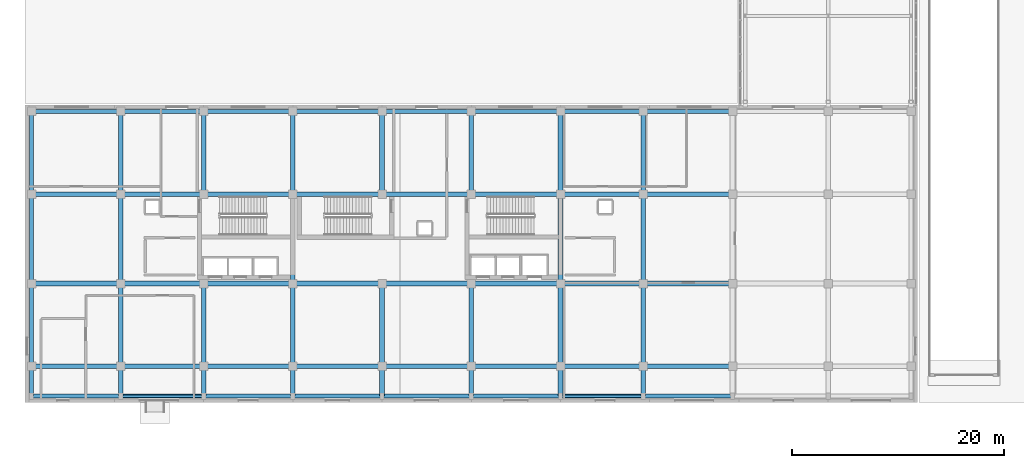
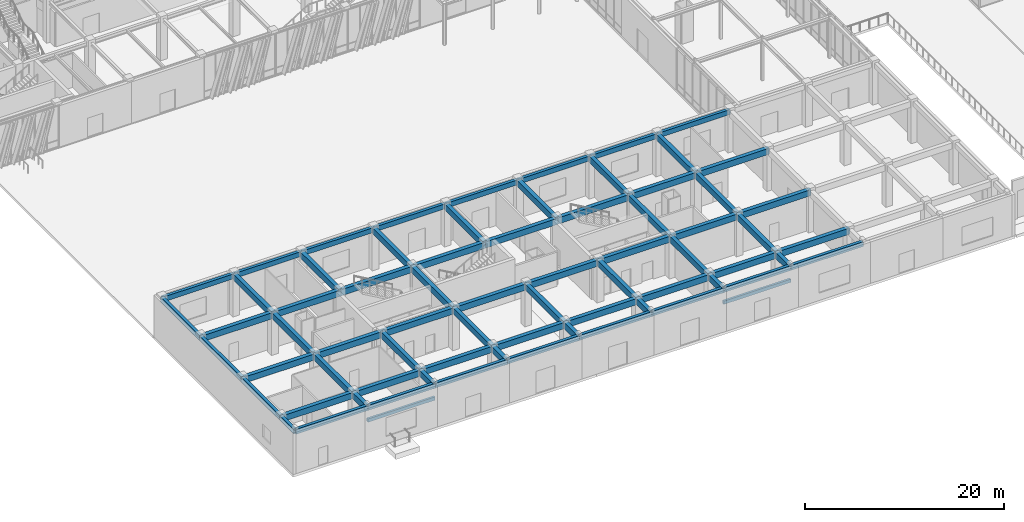
# One storey, part 8 of 122: 71 beams.
"""IFC4 building model written with IfcOpenShell, lengths in metres."""

import ifcopenshell
import ifcopenshell.guid

model = None  # the IFC model being written
_history = None  # IfcOwnerHistory: only IFC2X3 demands one
_inside = {}  # id of a spatial element -> (the spatial element, [elements in it])
_under = {}  # id of a project, library or spatial element -> (it, [spatial elements below it])
_declared = {}  # id of a project -> (the project, [libraries it declares])
_typed = {}  # id of a type object -> (the type object, [elements of that type])
_made_of = {}  # id of a material, layer set ... -> (it, [elements and type objects made of it])


def new_model(schema):
    """Start an empty IFC model of exactly this schema.

    Asked for "IFC4X3", IfcOpenShell would pick the latest addendum, in which some entities
    have other attributes; the version numbers below select the first issue.
    IFC2X3 requires an IfcOwnerHistory on every rooted entity: one is made here for all.
    """
    global model, _history
    if schema == "IFC4X3":
        model = ifcopenshell.file(schema_version=(4, 3, 0, 0))
    else:
        model = ifcopenshell.file(schema=schema)
    _inside.clear()
    _under.clear()
    _declared.clear()
    _typed.clear()
    _made_of.clear()
    _history = None
    if model.schema == "IFC2X3":
        org = make("IfcOrganization", Name="unknown")
        user = make(
            "IfcPersonAndOrganization",
            ThePerson=make("IfcPerson", FamilyName="unknown"),
            TheOrganization=org,
        )
        app = make(
            "IfcApplication",
            ApplicationDeveloper=org,
            Version="unknown",
            ApplicationFullName="unknown",
            ApplicationIdentifier="unknown",
        )
        _history = make(
            "IfcOwnerHistory",
            OwningUser=user,
            OwningApplication=app,
            ChangeAction="ADDED",
            CreationDate=0,
        )
    return model


def make(cls, **values):
    """One entity of the class cls with the attributes given. An attribute that is None is left unset."""
    return model.create_entity(
        cls, **{name: value for name, value in values.items() if value is not None}
    )


def rooted(cls, **values):
    """An entity with a GlobalId (a new one), such as an element, a storey or a relation."""
    return make(cls, GlobalId=ifcopenshell.guid.new(), OwnerHistory=_history, **values)


def si_unit(unit_type, name, prefix=None):
    """IfcSIUnit, for example si_unit("LENGTHUNIT", "METRE", prefix="MILLI")."""
    return make("IfcSIUnit", UnitType=unit_type, Prefix=prefix, Name=name)


def assignment(units):
    """IfcUnitAssignment: the units of a project."""
    return None if units is None else make("IfcUnitAssignment", Units=units)


def point(xyz):
    """IfcCartesianPoint."""
    return None if xyz is None else make("IfcCartesianPoint", Coordinates=xyz)


def direction(xyz):
    """IfcDirection."""
    return None if xyz is None else make("IfcDirection", DirectionRatios=xyz)


def frame(location, z_axis=None, x_axis=None):
    """IfcAxis2Placement3D, a coordinate frame: its origin and axes. An axis left out is left unset."""
    return make(
        "IfcAxis2Placement3D",
        Location=point(location),
        Axis=direction(z_axis),
        RefDirection=direction(x_axis),
    )


def frame_2d(location, x_axis=None):
    """IfcAxis2Placement2D, a coordinate frame in the plane: its origin and x axis."""
    return make(
        "IfcAxis2Placement2D", Location=point(location), RefDirection=direction(x_axis)
    )


def origin():
    """The frame at (0, 0, 0) with its axes left unset."""
    return frame((0.0, 0.0, 0.0))


def origin_2d():
    """The frame at (0, 0) in the plane with its x axis left unset."""
    return frame_2d((0.0, 0.0))


def place(relative_to, where):
    """IfcLocalPlacement: puts the frame where relative to a parent placement (None: the world)."""
    return make(
        "IfcLocalPlacement", PlacementRelTo=relative_to, RelativePlacement=where
    )


def context(
    kind, dimensions, precision=None, world=None, true_north=None, identifier=None
):
    """IfcGeometricRepresentationContext, for example the 3D "Model" context."""
    return make(
        "IfcGeometricRepresentationContext",
        ContextIdentifier=identifier,
        ContextType=kind,
        CoordinateSpaceDimension=dimensions,
        Precision=precision,
        WorldCoordinateSystem=world,
        TrueNorth=true_north,
    )


def subcontext(parent, identifier, kind, view, scale=None):
    """IfcGeometricRepresentationSubContext, for example "Body" below "Model"."""
    return make(
        "IfcGeometricRepresentationSubContext",
        ContextIdentifier=identifier,
        ContextType=kind,
        ParentContext=parent,
        TargetScale=scale,
        TargetView=view,
    )


def project(units=None, contexts=None):
    """IfcProject with its units and contexts."""
    return rooted(
        "IfcProject",
        Name="project",
        RepresentationContexts=contexts,
        UnitsInContext=assignment(units),
    )


def spatial(cls, under=None, at=None, **own):
    """A site, building, storey or space (cls), placed at a placement, below another one or the project."""
    s = rooted(cls, ObjectPlacement=at, **own)
    if under is not None:
        _under.setdefault(under.id(), (under, []))[1].append(s)
    return s


def profile(cls, at=None, kind="AREA", **sizes):
    """A parametric profile (cls). Its sizes go by their IFC names, for example OverallWidth=200.0."""
    return make(cls, ProfileType=kind, Position=at, **sizes)


def rectangle(**sizes):
    """IfcRectangleProfileDef."""
    return profile("IfcRectangleProfileDef", **sizes)


def extrude(swept, where, along, depth):
    """IfcExtrudedAreaSolid: the profile swept, set in the frame where, extruded along a direction by depth."""
    return make(
        "IfcExtrudedAreaSolid",
        SweptArea=swept,
        Position=where,
        ExtrudedDirection=direction(along),
        Depth=depth,
    )


def shape(context_of_items, identifier, shape_type, items):
    """IfcShapeRepresentation: the items that make up one representation, for example the "Body"."""
    return make(
        "IfcShapeRepresentation",
        ContextOfItems=context_of_items,
        RepresentationIdentifier=identifier,
        RepresentationType=shape_type,
        Items=items,
    )


def material(Name=None, Category=None):
    """IfcMaterial."""
    return make("IfcMaterial", Name=Name, Category=Category)


def material_profile(
    of_material, cross_section, Name=None, Category=None, Priority=None
):
    """IfcMaterialProfile: a cross section and its material."""
    return make(
        "IfcMaterialProfile",
        Name=Name,
        Material=of_material,
        Profile=cross_section,
        Priority=Priority,
        Category=Category,
    )


def profile_set(profiles, Name=None, composite=None):
    """IfcMaterialProfileSet."""
    return make(
        "IfcMaterialProfileSet",
        Name=Name,
        MaterialProfiles=profiles,
        CompositeProfile=composite,
    )


def made_of(thing, what):
    """Note that an element or type object is made of a material, layer set ...; save() writes the relation."""
    if what is not None:
        _made_of.setdefault(what.id(), (what, []))[1].append(thing)
    return thing


def type_object(cls, material=None, **own):
    """A type object (cls), such as IfcWallType, which elements share."""
    return made_of(rooted(cls, **own), material)


def element(
    cls,
    number,
    at=None,
    inside=None,
    cuts=None,
    type_object=None,
    material=None,
    context=None,
    identifier="Body",
    shape_type=None,
    held_by="IfcProductDefinitionShape",
    body=None,
    shapes=None,
    **own,
):
    """One element of the class cls, such as IfcWall. Its Tag is "e" and its number.

    at: its placement. inside: the storey or other place that contains it. cuts: it is an
    opening in that element (IfcRelVoidsElement). A single representation is given by context,
    identifier, shape_type and body (its items); several are given by shapes. held_by: the class
    of the entity that holds the representations. save() writes the other relations.
    """
    e = rooted(cls, Tag="e%d" % number, ObjectPlacement=at, **own)
    if body is not None:
        shapes = [shape(context, identifier, shape_type, body)]
    if shapes is not None:
        e.Representation = make(held_by, Representations=shapes)
    if inside is not None:
        _inside.setdefault(inside.id(), (inside, []))[1].append(e)
    if cuts is not None:
        rooted(
            "IfcRelVoidsElement", RelatingBuildingElement=cuts, RelatedOpeningElement=e
        )
    if type_object is not None:
        _typed.setdefault(type_object.id(), (type_object, []))[1].append(e)
    return made_of(e, material)


def aggregate(whole, parts):
    """IfcRelAggregates: a whole, such as a stair, and the parts it consists of."""
    return rooted("IfcRelAggregates", RelatingObject=whole, RelatedObjects=parts)


def save(model, path):
    """Write the relations noted so far, then the file.

    IfcRelAggregates (storeys below a building ...), IfcRelContainedInSpatialStructure (elements
    in a storey), IfcRelDefinesByType, IfcRelAssociatesMaterial and IfcRelDeclares: one each for
    every whole, place, type object, material and project.
    """
    for whole, parts in _under.values():
        aggregate(whole, parts)
    for where, things in _inside.values():
        rooted(
            "IfcRelContainedInSpatialStructure",
            RelatedElements=things,
            RelatingStructure=where,
        )
    for kind, things in _typed.values():
        rooted("IfcRelDefinesByType", RelatedObjects=things, RelatingType=kind)
    for what, things in _made_of.values():
        rooted("IfcRelAssociatesMaterial", RelatedObjects=things, RelatingMaterial=what)
    for by, libraries in _declared.values():
        rooted("IfcRelDeclares", RelatingContext=by, RelatedDefinitions=libraries)
    model.write(path)


model = new_model("IFC4")

# Units and contexts
model_context = context("Model", 3, precision=1e-05, world=origin(), true_north=direction((0.0, 1.0)))
body_context = subcontext(model_context, "Body", "Model", "MODEL_VIEW")
ifc_project = project(units=[si_unit("LENGTHUNIT", "METRE"), si_unit("AREAUNIT", "SQUARE_METRE"), si_unit("VOLUMEUNIT", "CUBIC_METRE"), si_unit("PLANEANGLEUNIT", "RADIAN"), si_unit("MASSUNIT", "GRAM", prefix="KILO")], contexts=[model_context])

# Site, building, storey
site_placement = place(None, origin())
site = spatial("IfcSite", under=ifc_project, at=site_placement, CompositionType="ELEMENT")
building_placement = place(site_placement, origin())
building = spatial("IfcBuilding", under=site, at=building_placement, Name="Zayran Congress Hotel", CompositionType="ELEMENT")
storey_placement = place(building_placement, origin())
storey = spatial("IfcBuildingStorey", under=building, at=storey_placement, Name="L00", CompositionType="ELEMENT", Elevation=0.0)

# Beams
ifc_material = material(Name="Concrete C40/50", Category="concrete")
ifc_material_profile_1 = material_profile(ifc_material, rectangle(XDim=0.449951171875, YDim=0.75, at=origin_2d()), Name="RC 450x750")
ifc_profile_set_1 = profile_set([ifc_material_profile_1], Name="Concrete C40/50")
beam_type_1 = type_object("IfcBeamType", Name="TP-BM-02", PredefinedType="BEAM", material=ifc_profile_set_1)
beam_1_placement = place(storey_placement, frame((9.0, 9.39990234375, 4.72509765625), z_axis=(1.0, 0.0, 0.0), x_axis=(0.0, 1.0, 0.0)))
element("IfcBeam", 1, at=beam_1_placement, inside=storey, type_object=beam_type_1, Name="BM-V5-L00-1594", PredefinedType="BEAM", context=body_context, shape_type="SweptSolid", body=[
    extrude(rectangle(XDim=0.449951171875, YDim=0.75, at=origin_2d()), origin(), (0.0, 0.0, 1.0), 8.39990234375),
])
beam_2_placement = place(storey_placement, frame((17.39990234375, 9.39990234375, 4.72509765625), z_axis=(1.0, 0.0, 0.0), x_axis=(0.0, 1.0, 0.0)))
element("IfcBeam", 2, at=beam_2_placement, inside=storey, type_object=beam_type_1, Name="BM-V5-L00-1595", PredefinedType="BEAM", context=body_context, shape_type="SweptSolid", body=[
    extrude(rectangle(XDim=0.449951171875, YDim=0.75, at=origin_2d()), origin(), (0.0, 0.0, 1.0), 7.800048828125),
])
beam_3_placement = place(storey_placement, frame((25.199951171875, 9.39990234375, 4.72509765625), z_axis=(1.0, 0.0, 0.0), x_axis=(0.0, 1.0, 0.0)))
element("IfcBeam", 3, at=beam_3_placement, inside=storey, type_object=beam_type_1, Name="BM-V5-L00-1596", PredefinedType="BEAM", context=body_context, shape_type="SweptSolid", body=[
    extrude(rectangle(XDim=0.449951171875, YDim=0.75, at=origin_2d()), origin(), (0.0, 0.0, 1.0), 8.400146484375),
])
for number, where, z_axis, x_axis, name in (
    (4, (33.60009765625, 9.39990234375, 4.72509765625), (1.0, 0.0, 0.0), (0.0, 1.0, 0.0), "BM-V5-L00-1597"),
    (5, (42.0, 9.39990234375, 4.72509765625), (1.0, 0.0, 0.0), (0.0, 1.0, 0.0), "BM-V5-L00-1598"),
):
    element("IfcBeam", number, at=place(storey_placement, frame(where, z_axis=z_axis, x_axis=x_axis)), inside=storey, type_object=beam_type_1, Name=name, PredefinedType="BEAM", context=body_context, shape_type="SweptSolid", body=[
        extrude(rectangle(XDim=0.449951171875, YDim=0.75, at=origin_2d()), origin(), (0.0, 0.0, 1.0), 8.39990234375),
    ])
beam_4_placement = place(storey_placement, frame((50.39990234375, 9.39990234375, 4.72509765625), z_axis=(1.0, 0.0, 0.0), x_axis=(0.0, 1.0, 0.0)))
element("IfcBeam", 6, at=beam_4_placement, inside=storey, type_object=beam_type_1, Name="BM-V5-L00-1599", PredefinedType="BEAM", context=body_context, shape_type="SweptSolid", body=[
    extrude(rectangle(XDim=0.449951171875, YDim=0.75, at=origin_2d()), origin(), (0.0, 0.0, 1.0), 8.400146484375),
])
beam_5_placement = place(storey_placement, frame((58.800048828125, 9.39990234375, 4.72509765625), z_axis=(1.0, 0.0, 0.0), x_axis=(0.0, 1.0, 0.0)))
element("IfcBeam", 7, at=beam_5_placement, inside=storey, type_object=beam_type_1, Name="BM-V5-L00-1600", PredefinedType="BEAM", context=body_context, shape_type="SweptSolid", body=[
    extrude(rectangle(XDim=0.449951171875, YDim=0.75, at=origin_2d()), origin(), (0.0, 0.0, 1.0), 7.800048828125),
])
for number, where, z_axis, x_axis, name in (
    (8, (66.60009765625, 9.39990234375, 4.72509765625), (1.0, 0.0, 0.0), (0.0, 1.0, 0.0), "BM-V5-L00-1601"),
    (9, (9.0, 17.199951171875, 4.72509765625), (1.0, 0.0, 0.0), (0.0, 1.0, 0.0), "BM-V5-L00-1604"),
):
    element("IfcBeam", number, at=place(storey_placement, frame(where, z_axis=z_axis, x_axis=x_axis)), inside=storey, type_object=beam_type_1, Name=name, PredefinedType="BEAM", context=body_context, shape_type="SweptSolid", body=[
        extrude(rectangle(XDim=0.449951171875, YDim=0.75, at=origin_2d()), origin(), (0.0, 0.0, 1.0), 8.39990234375),
    ])
beam_6_placement = place(storey_placement, frame((17.39990234375, 17.199951171875, 4.72509765625), z_axis=(1.0, 0.0, 0.0), x_axis=(0.0, 1.0, 0.0)))
element("IfcBeam", 10, at=beam_6_placement, inside=storey, type_object=beam_type_1, Name="BM-V5-L00-1605", PredefinedType="BEAM", context=body_context, shape_type="SweptSolid", body=[
    extrude(rectangle(XDim=0.449951171875, YDim=0.75, at=origin_2d()), origin(), (0.0, 0.0, 1.0), 7.800048828125),
])
beam_7_placement = place(storey_placement, frame((25.199951171875, 17.199951171875, 4.72509765625), z_axis=(1.0, 0.0, 0.0), x_axis=(0.0, 1.0, 0.0)))
element("IfcBeam", 11, at=beam_7_placement, inside=storey, type_object=beam_type_1, Name="BM-V5-L00-1606", PredefinedType="BEAM", context=body_context, shape_type="SweptSolid", body=[
    extrude(rectangle(XDim=0.449951171875, YDim=0.75, at=origin_2d()), origin(), (0.0, 0.0, 1.0), 8.400146484375),
])
for number, where, z_axis, x_axis, name in (
    (12, (33.60009765625, 17.199951171875, 4.72509765625), (1.0, 0.0, 0.0), (0.0, 1.0, 0.0), "BM-V5-L00-1607"),
    (13, (42.0, 17.199951171875, 4.72509765625), (1.0, 0.0, 0.0), (0.0, 1.0, 0.0), "BM-V5-L00-1608"),
):
    element("IfcBeam", number, at=place(storey_placement, frame(where, z_axis=z_axis, x_axis=x_axis)), inside=storey, type_object=beam_type_1, Name=name, PredefinedType="BEAM", context=body_context, shape_type="SweptSolid", body=[
        extrude(rectangle(XDim=0.449951171875, YDim=0.75, at=origin_2d()), origin(), (0.0, 0.0, 1.0), 8.39990234375),
    ])
beam_8_placement = place(storey_placement, frame((50.39990234375, 17.199951171875, 4.72509765625), z_axis=(1.0, 0.0, 0.0), x_axis=(0.0, 1.0, 0.0)))
element("IfcBeam", 14, at=beam_8_placement, inside=storey, type_object=beam_type_1, Name="BM-V5-L00-1609", PredefinedType="BEAM", context=body_context, shape_type="SweptSolid", body=[
    extrude(rectangle(XDim=0.449951171875, YDim=0.75, at=origin_2d()), origin(), (0.0, 0.0, 1.0), 8.400146484375),
])
beam_9_placement = place(storey_placement, frame((58.800048828125, 17.199951171875, 4.72509765625), z_axis=(1.0, 0.0, 0.0), x_axis=(0.0, 1.0, 0.0)))
element("IfcBeam", 15, at=beam_9_placement, inside=storey, type_object=beam_type_1, Name="BM-V5-L00-1610", PredefinedType="BEAM", context=body_context, shape_type="SweptSolid", body=[
    extrude(rectangle(XDim=0.449951171875, YDim=0.75, at=origin_2d()), origin(), (0.0, 0.0, 1.0), 7.800048828125),
])
for number, where, z_axis, x_axis, name in (
    (16, (66.60009765625, 17.199951171875, 4.72509765625), (1.0, 0.0, 0.0), (0.0, 1.0, 0.0), "BM-V5-L00-1611"),
    (17, (9.0, 25.60009765625, 4.72509765625), (1.0, 0.0, 0.0), (0.0, 1.0, 0.0), "BM-V5-L00-1614"),
):
    element("IfcBeam", number, at=place(storey_placement, frame(where, z_axis=z_axis, x_axis=x_axis)), inside=storey, type_object=beam_type_1, Name=name, PredefinedType="BEAM", context=body_context, shape_type="SweptSolid", body=[
        extrude(rectangle(XDim=0.449951171875, YDim=0.75, at=origin_2d()), origin(), (0.0, 0.0, 1.0), 8.39990234375),
    ])
beam_10_placement = place(storey_placement, frame((17.39990234375, 25.60009765625, 4.72509765625), z_axis=(1.0, 0.0, 0.0), x_axis=(0.0, 1.0, 0.0)))
element("IfcBeam", 18, at=beam_10_placement, inside=storey, type_object=beam_type_1, Name="BM-V5-L00-1615", PredefinedType="BEAM", context=body_context, shape_type="SweptSolid", body=[
    extrude(rectangle(XDim=0.449951171875, YDim=0.75, at=origin_2d()), origin(), (0.0, 0.0, 1.0), 7.800048828125),
])
beam_11_placement = place(storey_placement, frame((25.199951171875, 25.60009765625, 4.72509765625), z_axis=(1.0, 0.0, 0.0), x_axis=(0.0, 1.0, 0.0)))
element("IfcBeam", 19, at=beam_11_placement, inside=storey, type_object=beam_type_1, Name="BM-V5-L00-1616", PredefinedType="BEAM", context=body_context, shape_type="SweptSolid", body=[
    extrude(rectangle(XDim=0.449951171875, YDim=0.75, at=origin_2d()), origin(), (0.0, 0.0, 1.0), 8.400146484375),
])
for number, where, z_axis, x_axis, name in (
    (20, (33.60009765625, 25.60009765625, 4.72509765625), (1.0, 0.0, 0.0), (0.0, 1.0, 0.0), "BM-V5-L00-1617"),
    (21, (42.0, 25.60009765625, 4.72509765625), (1.0, 0.0, 0.0), (0.0, 1.0, 0.0), "BM-V5-L00-1618"),
):
    element("IfcBeam", number, at=place(storey_placement, frame(where, z_axis=z_axis, x_axis=x_axis)), inside=storey, type_object=beam_type_1, Name=name, PredefinedType="BEAM", context=body_context, shape_type="SweptSolid", body=[
        extrude(rectangle(XDim=0.449951171875, YDim=0.75, at=origin_2d()), origin(), (0.0, 0.0, 1.0), 8.39990234375),
    ])
beam_12_placement = place(storey_placement, frame((50.39990234375, 25.60009765625, 4.72509765625), z_axis=(1.0, 0.0, 0.0), x_axis=(0.0, 1.0, 0.0)))
element("IfcBeam", 22, at=beam_12_placement, inside=storey, type_object=beam_type_1, Name="BM-V5-L00-1619", PredefinedType="BEAM", context=body_context, shape_type="SweptSolid", body=[
    extrude(rectangle(XDim=0.449951171875, YDim=0.75, at=origin_2d()), origin(), (0.0, 0.0, 1.0), 8.400146484375),
])
beam_13_placement = place(storey_placement, frame((58.800048828125, 25.60009765625, 4.72509765625), z_axis=(1.0, 0.0, 0.0), x_axis=(0.0, 1.0, 0.0)))
element("IfcBeam", 23, at=beam_13_placement, inside=storey, type_object=beam_type_1, Name="BM-V5-L00-1620", PredefinedType="BEAM", context=body_context, shape_type="SweptSolid", body=[
    extrude(rectangle(XDim=0.449951171875, YDim=0.75, at=origin_2d()), origin(), (0.0, 0.0, 1.0), 7.800048828125),
])
beam_14_placement = place(storey_placement, frame((66.60009765625, 25.60009765625, 4.72509765625), z_axis=(1.0, 0.0, 0.0), x_axis=(0.0, 1.0, 0.0)))
element("IfcBeam", 24, at=beam_14_placement, inside=storey, type_object=beam_type_1, Name="BM-V5-L00-1621", PredefinedType="BEAM", context=body_context, shape_type="SweptSolid", body=[
    extrude(rectangle(XDim=0.449951171875, YDim=0.75, at=origin_2d()), origin(), (0.0, 0.0, 1.0), 8.39990234375),
])
beam_15_placement = place(storey_placement, frame((17.39990234375, 6.60009765625, 4.72509765625), z_axis=(0.0, 1.0, 0.0), x_axis=(-1.0, 0.0, 0.0)))
element("IfcBeam", 25, at=beam_15_placement, inside=storey, type_object=beam_type_1, Name="BM-V5-L00-1638", PredefinedType="BEAM", context=body_context, shape_type="SweptSolid", body=[
    extrude(rectangle(XDim=0.449951171875, YDim=0.75, at=origin_2d()), origin(), (0.0, 0.0, 1.0), 2.7998046875),
])
beam_16_placement = place(storey_placement, frame((17.39990234375, 9.39990234375, 4.72509765625), z_axis=(0.0, 1.0, 0.0), x_axis=(-1.0, 0.0, 0.0)))
element("IfcBeam", 26, at=beam_16_placement, inside=storey, type_object=beam_type_1, Name="BM-V5-L00-1639", PredefinedType="BEAM", context=body_context, shape_type="SweptSolid", body=[
    extrude(rectangle(XDim=0.449951171875, YDim=0.75, at=origin_2d()), origin(), (0.0, 0.0, 1.0), 7.800048828125),
])
beam_17_placement = place(storey_placement, frame((17.39990234375, 17.199951171875, 4.72509765625), z_axis=(0.0, 1.0, 0.0), x_axis=(-1.0, 0.0, 0.0)))
element("IfcBeam", 27, at=beam_17_placement, inside=storey, type_object=beam_type_1, Name="BM-V5-L00-1640", PredefinedType="BEAM", context=body_context, shape_type="SweptSolid", body=[
    extrude(rectangle(XDim=0.449951171875, YDim=0.75, at=origin_2d()), origin(), (0.0, 0.0, 1.0), 8.400146484375),
])
beam_18_placement = place(storey_placement, frame((17.39990234375, 25.60009765625, 4.72509765625), z_axis=(0.0, 1.0, 0.0), x_axis=(-1.0, 0.0, 0.0)))
element("IfcBeam", 28, at=beam_18_placement, inside=storey, type_object=beam_type_1, Name="BM-V5-L00-1641", PredefinedType="BEAM", context=body_context, shape_type="SweptSolid", body=[
    extrude(rectangle(XDim=0.449951171875, YDim=0.75, at=origin_2d()), origin(), (0.0, 0.0, 1.0), 7.7998046875),
])
beam_19_placement = place(storey_placement, frame((25.199951171875, 6.60009765625, 4.72509765625), z_axis=(0.0, 1.0, 0.0), x_axis=(-1.0, 0.0, 0.0)))
element("IfcBeam", 29, at=beam_19_placement, inside=storey, type_object=beam_type_1, Name="BM-V5-L00-1642", PredefinedType="BEAM", context=body_context, shape_type="SweptSolid", body=[
    extrude(rectangle(XDim=0.449951171875, YDim=0.75, at=origin_2d()), origin(), (0.0, 0.0, 1.0), 2.7998046875),
])
beam_20_placement = place(storey_placement, frame((25.199951171875, 9.39990234375, 4.72509765625), z_axis=(0.0, 1.0, 0.0), x_axis=(-1.0, 0.0, 0.0)))
element("IfcBeam", 30, at=beam_20_placement, inside=storey, type_object=beam_type_1, Name="BM-V5-L00-1643", PredefinedType="BEAM", context=body_context, shape_type="SweptSolid", body=[
    extrude(rectangle(XDim=0.449951171875, YDim=0.75, at=origin_2d()), origin(), (0.0, 0.0, 1.0), 7.800048828125),
])
beam_21_placement = place(storey_placement, frame((25.199951171875, 25.60009765625, 4.72509765625), z_axis=(0.0, 1.0, 0.0), x_axis=(-1.0, 0.0, 0.0)))
element("IfcBeam", 31, at=beam_21_placement, inside=storey, type_object=beam_type_1, Name="BM-V5-L00-1644", PredefinedType="BEAM", context=body_context, shape_type="SweptSolid", body=[
    extrude(rectangle(XDim=0.449951171875, YDim=0.75, at=origin_2d()), origin(), (0.0, 0.0, 1.0), 7.7998046875),
])
beam_22_placement = place(storey_placement, frame((33.60009765625, 6.60009765625, 4.72509765625), z_axis=(0.0, 1.0, 0.0), x_axis=(-1.0, 0.0, 0.0)))
element("IfcBeam", 32, at=beam_22_placement, inside=storey, type_object=beam_type_1, Name="BM-V5-L00-1645", PredefinedType="BEAM", context=body_context, shape_type="SweptSolid", body=[
    extrude(rectangle(XDim=0.449951171875, YDim=0.75, at=origin_2d()), origin(), (0.0, 0.0, 1.0), 2.7998046875),
])
beam_23_placement = place(storey_placement, frame((33.60009765625, 9.39990234375, 4.72509765625), z_axis=(0.0, 1.0, 0.0), x_axis=(-1.0, 0.0, 0.0)))
element("IfcBeam", 33, at=beam_23_placement, inside=storey, type_object=beam_type_1, Name="BM-V5-L00-1646", PredefinedType="BEAM", context=body_context, shape_type="SweptSolid", body=[
    extrude(rectangle(XDim=0.449951171875, YDim=0.75, at=origin_2d()), origin(), (0.0, 0.0, 1.0), 7.800048828125),
])
beam_24_placement = place(storey_placement, frame((33.60009765625, 17.199951171875, 4.72509765625), z_axis=(0.0, 1.0, 0.0), x_axis=(-1.0, 0.0, 0.0)))
element("IfcBeam", 34, at=beam_24_placement, inside=storey, type_object=beam_type_1, Name="BM-V5-L00-1647", PredefinedType="BEAM", context=body_context, shape_type="SweptSolid", body=[
    extrude(rectangle(XDim=0.449951171875, YDim=0.75, at=origin_2d()), origin(), (0.0, 0.0, 1.0), 8.400146484375),
])
beam_25_placement = place(storey_placement, frame((33.60009765625, 25.60009765625, 4.72509765625), z_axis=(0.0, 1.0, 0.0), x_axis=(-1.0, 0.0, 0.0)))
element("IfcBeam", 35, at=beam_25_placement, inside=storey, type_object=beam_type_1, Name="BM-V5-L00-1648", PredefinedType="BEAM", context=body_context, shape_type="SweptSolid", body=[
    extrude(rectangle(XDim=0.449951171875, YDim=0.75, at=origin_2d()), origin(), (0.0, 0.0, 1.0), 7.7998046875),
])
beam_26_placement = place(storey_placement, frame((42.0, 6.60009765625, 4.72509765625), z_axis=(0.0, 1.0, 0.0), x_axis=(-1.0, 0.0, 0.0)))
element("IfcBeam", 36, at=beam_26_placement, inside=storey, type_object=beam_type_1, Name="BM-V5-L00-1649", PredefinedType="BEAM", context=body_context, shape_type="SweptSolid", body=[
    extrude(rectangle(XDim=0.449951171875, YDim=0.75, at=origin_2d()), origin(), (0.0, 0.0, 1.0), 2.7998046875),
])
beam_27_placement = place(storey_placement, frame((42.0, 9.39990234375, 4.72509765625), z_axis=(0.0, 1.0, 0.0), x_axis=(-1.0, 0.0, 0.0)))
element("IfcBeam", 37, at=beam_27_placement, inside=storey, type_object=beam_type_1, Name="BM-V5-L00-1650", PredefinedType="BEAM", context=body_context, shape_type="SweptSolid", body=[
    extrude(rectangle(XDim=0.449951171875, YDim=0.75, at=origin_2d()), origin(), (0.0, 0.0, 1.0), 7.800048828125),
])
beam_28_placement = place(storey_placement, frame((42.0, 25.60009765625, 4.72509765625), z_axis=(0.0, 1.0, 0.0), x_axis=(-1.0, 0.0, 0.0)))
element("IfcBeam", 38, at=beam_28_placement, inside=storey, type_object=beam_type_1, Name="BM-V5-L00-1652", PredefinedType="BEAM", context=body_context, shape_type="SweptSolid", body=[
    extrude(rectangle(XDim=0.449951171875, YDim=0.75, at=origin_2d()), origin(), (0.0, 0.0, 1.0), 7.7998046875),
])
beam_29_placement = place(storey_placement, frame((50.39990234375, 6.60009765625, 4.72509765625), z_axis=(0.0, 1.0, 0.0), x_axis=(-1.0, 0.0, 0.0)))
element("IfcBeam", 39, at=beam_29_placement, inside=storey, type_object=beam_type_1, Name="BM-V5-L00-1653", PredefinedType="BEAM", context=body_context, shape_type="SweptSolid", body=[
    extrude(rectangle(XDim=0.449951171875, YDim=0.75, at=origin_2d()), origin(), (0.0, 0.0, 1.0), 2.7998046875),
])
beam_30_placement = place(storey_placement, frame((50.39990234375, 9.39990234375, 4.72509765625), z_axis=(0.0, 1.0, 0.0), x_axis=(-1.0, 0.0, 0.0)))
element("IfcBeam", 40, at=beam_30_placement, inside=storey, type_object=beam_type_1, Name="BM-V5-L00-1654", PredefinedType="BEAM", context=body_context, shape_type="SweptSolid", body=[
    extrude(rectangle(XDim=0.449951171875, YDim=0.75, at=origin_2d()), origin(), (0.0, 0.0, 1.0), 7.800048828125),
])
beam_31_placement = place(storey_placement, frame((50.39990234375, 25.60009765625, 4.72509765625), z_axis=(0.0, 1.0, 0.0), x_axis=(-1.0, 0.0, 0.0)))
element("IfcBeam", 41, at=beam_31_placement, inside=storey, type_object=beam_type_1, Name="BM-V5-L00-1655", PredefinedType="BEAM", context=body_context, shape_type="SweptSolid", body=[
    extrude(rectangle(XDim=0.449951171875, YDim=0.75, at=origin_2d()), origin(), (0.0, 0.0, 1.0), 7.7998046875),
])
beam_32_placement = place(storey_placement, frame((58.800048828125, 6.60009765625, 4.72509765625), z_axis=(0.0, 1.0, 0.0), x_axis=(-1.0, 0.0, 0.0)))
element("IfcBeam", 42, at=beam_32_placement, inside=storey, type_object=beam_type_1, Name="BM-V5-L00-1656", PredefinedType="BEAM", context=body_context, shape_type="SweptSolid", body=[
    extrude(rectangle(XDim=0.449951171875, YDim=0.75, at=origin_2d()), origin(), (0.0, 0.0, 1.0), 2.7998046875),
])
beam_33_placement = place(storey_placement, frame((58.800048828125, 9.39990234375, 4.72509765625), z_axis=(0.0, 1.0, 0.0), x_axis=(-1.0, 0.0, 0.0)))
element("IfcBeam", 43, at=beam_33_placement, inside=storey, type_object=beam_type_1, Name="BM-V5-L00-1657", PredefinedType="BEAM", context=body_context, shape_type="SweptSolid", body=[
    extrude(rectangle(XDim=0.449951171875, YDim=0.75, at=origin_2d()), origin(), (0.0, 0.0, 1.0), 7.800048828125),
])
beam_34_placement = place(storey_placement, frame((58.800048828125, 17.199951171875, 4.72509765625), z_axis=(0.0, 1.0, 0.0), x_axis=(-1.0, 0.0, 0.0)))
element("IfcBeam", 44, at=beam_34_placement, inside=storey, type_object=beam_type_1, Name="BM-V5-L00-1658", PredefinedType="BEAM", context=body_context, shape_type="SweptSolid", body=[
    extrude(rectangle(XDim=0.449951171875, YDim=0.75, at=origin_2d()), origin(), (0.0, 0.0, 1.0), 8.400146484375),
])
beam_35_placement = place(storey_placement, frame((58.800048828125, 25.60009765625, 4.72509765625), z_axis=(0.0, 1.0, 0.0), x_axis=(-1.0, 0.0, 0.0)))
element("IfcBeam", 45, at=beam_35_placement, inside=storey, type_object=beam_type_1, Name="BM-V5-L00-1659", PredefinedType="BEAM", context=body_context, shape_type="SweptSolid", body=[
    extrude(rectangle(XDim=0.449951171875, YDim=0.75, at=origin_2d()), origin(), (0.0, 0.0, 1.0), 7.7998046875),
])
beam_36_placement = place(storey_placement, frame((66.60009765625, 6.60009765625, 4.72509765625), z_axis=(0.0, 1.0, 0.0), x_axis=(-1.0, 0.0, 0.0)))
element("IfcBeam", 46, at=beam_36_placement, inside=storey, type_object=beam_type_1, Name="BM-V5-L00-1660", PredefinedType="BEAM", context=body_context, shape_type="SweptSolid", body=[
    extrude(rectangle(XDim=0.449951171875, YDim=0.75, at=origin_2d()), origin(), (0.0, 0.0, 1.0), 2.7998046875),
])
beam_37_placement = place(storey_placement, frame((66.60009765625, 9.39990234375, 4.72509765625), z_axis=(0.0, 1.0, 0.0), x_axis=(-1.0, 0.0, 0.0)))
element("IfcBeam", 47, at=beam_37_placement, inside=storey, type_object=beam_type_1, Name="BM-V5-L00-1661", PredefinedType="BEAM", context=body_context, shape_type="SweptSolid", body=[
    extrude(rectangle(XDim=0.449951171875, YDim=0.75, at=origin_2d()), origin(), (0.0, 0.0, 1.0), 7.800048828125),
])
beam_38_placement = place(storey_placement, frame((66.60009765625, 17.199951171875, 4.72509765625), z_axis=(0.0, 1.0, 0.0), x_axis=(-1.0, 0.0, 0.0)))
element("IfcBeam", 48, at=beam_38_placement, inside=storey, type_object=beam_type_1, Name="BM-V5-L00-1662", PredefinedType="BEAM", context=body_context, shape_type="SweptSolid", body=[
    extrude(rectangle(XDim=0.449951171875, YDim=0.75, at=origin_2d()), origin(), (0.0, 0.0, 1.0), 8.400146484375),
])
beam_39_placement = place(storey_placement, frame((66.60009765625, 25.60009765625, 4.72509765625), z_axis=(0.0, 1.0, 0.0), x_axis=(-1.0, 0.0, 0.0)))
element("IfcBeam", 49, at=beam_39_placement, inside=storey, type_object=beam_type_1, Name="BM-V5-L00-1663", PredefinedType="BEAM", context=body_context, shape_type="SweptSolid", body=[
    extrude(rectangle(XDim=0.449951171875, YDim=0.75, at=origin_2d()), origin(), (0.0, 0.0, 1.0), 7.7998046875),
])
ifc_material_profile_2 = material_profile(ifc_material, rectangle(XDim=0.35009765625, YDim=0.60009765625, at=origin_2d()), Name="RC 350x600")
ifc_profile_set_2 = profile_set([ifc_material_profile_2], Name="Concrete C40/50")
beam_type_2 = type_object("IfcBeamType", Name="TP-SP-01", PredefinedType="SPANDREL", material=ifc_profile_set_2)
beam_40_placement = place(storey_placement, frame((9.0, 6.60009765625, 4.800048828125), z_axis=(1.0, 0.0, 0.0), x_axis=(0.0, 1.0, 0.0)))
element("IfcBeam", 50, at=beam_40_placement, inside=storey, type_object=beam_type_2, Name="BM-V5-L00-1584", PredefinedType="SPANDREL", context=body_context, shape_type="SweptSolid", body=[
    extrude(rectangle(XDim=0.35009765625, YDim=0.60009765625, at=origin_2d()), origin(), (0.0, 0.0, 1.0), 8.39990234375),
])
beam_41_placement = place(storey_placement, frame((17.39990234375, 6.60009765625, 4.800048828125), z_axis=(1.0, 0.0, 0.0), x_axis=(0.0, 1.0, 0.0)))
element("IfcBeam", 51, at=beam_41_placement, inside=storey, type_object=beam_type_2, Name="BM-V5-L00-1585", PredefinedType="SPANDREL", context=body_context, shape_type="SweptSolid", body=[
    extrude(rectangle(XDim=0.35009765625, YDim=0.60009765625, at=origin_2d()), origin(), (0.0, 0.0, 1.0), 7.800048828125),
])
beam_42_placement = place(storey_placement, frame((25.199951171875, 6.60009765625, 4.800048828125), z_axis=(1.0, 0.0, 0.0), x_axis=(0.0, 1.0, 0.0)))
element("IfcBeam", 52, at=beam_42_placement, inside=storey, type_object=beam_type_2, Name="BM-V5-L00-1586", PredefinedType="SPANDREL", context=body_context, shape_type="SweptSolid", body=[
    extrude(rectangle(XDim=0.35009765625, YDim=0.60009765625, at=origin_2d()), origin(), (0.0, 0.0, 1.0), 8.400146484375),
])
for number, where, z_axis, x_axis, name in (
    (53, (33.60009765625, 6.60009765625, 4.800048828125), (1.0, 0.0, 0.0), (0.0, 1.0, 0.0), "BM-V5-L00-1587"),
    (54, (42.0, 6.60009765625, 4.800048828125), (1.0, 0.0, 0.0), (0.0, 1.0, 0.0), "BM-V5-L00-1588"),
):
    element("IfcBeam", number, at=place(storey_placement, frame(where, z_axis=z_axis, x_axis=x_axis)), inside=storey, type_object=beam_type_2, Name=name, PredefinedType="SPANDREL", context=body_context, shape_type="SweptSolid", body=[
        extrude(rectangle(XDim=0.35009765625, YDim=0.60009765625, at=origin_2d()), origin(), (0.0, 0.0, 1.0), 8.39990234375),
    ])
beam_43_placement = place(storey_placement, frame((50.39990234375, 6.60009765625, 4.800048828125), z_axis=(1.0, 0.0, 0.0), x_axis=(0.0, 1.0, 0.0)))
element("IfcBeam", 55, at=beam_43_placement, inside=storey, type_object=beam_type_2, Name="BM-V5-L00-1589", PredefinedType="SPANDREL", context=body_context, shape_type="SweptSolid", body=[
    extrude(rectangle(XDim=0.35009765625, YDim=0.60009765625, at=origin_2d()), origin(), (0.0, 0.0, 1.0), 8.400146484375),
])
beam_44_placement = place(storey_placement, frame((58.800048828125, 6.60009765625, 4.800048828125), z_axis=(1.0, 0.0, 0.0), x_axis=(0.0, 1.0, 0.0)))
element("IfcBeam", 56, at=beam_44_placement, inside=storey, type_object=beam_type_2, Name="BM-V5-L00-1590", PredefinedType="SPANDREL", context=body_context, shape_type="SweptSolid", body=[
    extrude(rectangle(XDim=0.35009765625, YDim=0.60009765625, at=origin_2d()), origin(), (0.0, 0.0, 1.0), 7.800048828125),
])
for number, where, z_axis, x_axis, name in (
    (57, (66.60009765625, 6.60009765625, 4.800048828125), (1.0, 0.0, 0.0), (0.0, 1.0, 0.0), "BM-V5-L00-1591"),
    (58, (9.0, 33.39990234375, 4.800048828125), (1.0, 0.0, 0.0), (0.0, 1.0, 0.0), "BM-V5-L00-1624"),
):
    element("IfcBeam", number, at=place(storey_placement, frame(where, z_axis=z_axis, x_axis=x_axis)), inside=storey, type_object=beam_type_2, Name=name, PredefinedType="SPANDREL", context=body_context, shape_type="SweptSolid", body=[
        extrude(rectangle(XDim=0.35009765625, YDim=0.60009765625, at=origin_2d()), origin(), (0.0, 0.0, 1.0), 8.39990234375),
    ])
beam_45_placement = place(storey_placement, frame((17.39990234375, 33.39990234375, 4.800048828125), z_axis=(1.0, 0.0, 0.0), x_axis=(0.0, 1.0, 0.0)))
element("IfcBeam", 59, at=beam_45_placement, inside=storey, type_object=beam_type_2, Name="BM-V5-L00-1625", PredefinedType="SPANDREL", context=body_context, shape_type="SweptSolid", body=[
    extrude(rectangle(XDim=0.35009765625, YDim=0.60009765625, at=origin_2d()), origin(), (0.0, 0.0, 1.0), 7.800048828125),
])
beam_46_placement = place(storey_placement, frame((25.199951171875, 33.39990234375, 4.800048828125), z_axis=(1.0, 0.0, 0.0), x_axis=(0.0, 1.0, 0.0)))
element("IfcBeam", 60, at=beam_46_placement, inside=storey, type_object=beam_type_2, Name="BM-V5-L00-1626", PredefinedType="SPANDREL", context=body_context, shape_type="SweptSolid", body=[
    extrude(rectangle(XDim=0.35009765625, YDim=0.60009765625, at=origin_2d()), origin(), (0.0, 0.0, 1.0), 8.400146484375),
])
for number, where, z_axis, x_axis, name in (
    (61, (33.60009765625, 33.39990234375, 4.800048828125), (1.0, 0.0, 0.0), (0.0, 1.0, 0.0), "BM-V5-L00-1627"),
    (62, (42.0, 33.39990234375, 4.800048828125), (1.0, 0.0, 0.0), (0.0, 1.0, 0.0), "BM-V5-L00-1628"),
):
    element("IfcBeam", number, at=place(storey_placement, frame(where, z_axis=z_axis, x_axis=x_axis)), inside=storey, type_object=beam_type_2, Name=name, PredefinedType="SPANDREL", context=body_context, shape_type="SweptSolid", body=[
        extrude(rectangle(XDim=0.35009765625, YDim=0.60009765625, at=origin_2d()), origin(), (0.0, 0.0, 1.0), 8.39990234375),
    ])
beam_47_placement = place(storey_placement, frame((50.39990234375, 33.39990234375, 4.800048828125), z_axis=(1.0, 0.0, 0.0), x_axis=(0.0, 1.0, 0.0)))
element("IfcBeam", 63, at=beam_47_placement, inside=storey, type_object=beam_type_2, Name="BM-V5-L00-1629", PredefinedType="SPANDREL", context=body_context, shape_type="SweptSolid", body=[
    extrude(rectangle(XDim=0.35009765625, YDim=0.60009765625, at=origin_2d()), origin(), (0.0, 0.0, 1.0), 8.400146484375),
])
beam_48_placement = place(storey_placement, frame((58.800048828125, 33.39990234375, 4.800048828125), z_axis=(1.0, 0.0, 0.0), x_axis=(0.0, 1.0, 0.0)))
element("IfcBeam", 64, at=beam_48_placement, inside=storey, type_object=beam_type_2, Name="BM-V5-L00-1630", PredefinedType="SPANDREL", context=body_context, shape_type="SweptSolid", body=[
    extrude(rectangle(XDim=0.35009765625, YDim=0.60009765625, at=origin_2d()), origin(), (0.0, 0.0, 1.0), 7.800048828125),
])
beam_49_placement = place(storey_placement, frame((66.60009765625, 33.39990234375, 4.800048828125), z_axis=(1.0, 0.0, 0.0), x_axis=(0.0, 1.0, 0.0)))
element("IfcBeam", 65, at=beam_49_placement, inside=storey, type_object=beam_type_2, Name="BM-V5-L00-1631", PredefinedType="SPANDREL", context=body_context, shape_type="SweptSolid", body=[
    extrude(rectangle(XDim=0.35009765625, YDim=0.60009765625, at=origin_2d()), origin(), (0.0, 0.0, 1.0), 8.39990234375),
])
beam_50_placement = place(storey_placement, frame((9.0, 6.60009765625, 4.800048828125), z_axis=(0.0, 1.0, 0.0), x_axis=(-1.0, 0.0, 0.0)))
element("IfcBeam", 66, at=beam_50_placement, inside=storey, type_object=beam_type_2, Name="BM-V5-L00-1634", PredefinedType="SPANDREL", context=body_context, shape_type="SweptSolid", body=[
    extrude(rectangle(XDim=0.35009765625, YDim=0.60009765625, at=origin_2d()), origin(), (0.0, 0.0, 1.0), 2.7998046875),
])
beam_51_placement = place(storey_placement, frame((9.0, 9.39990234375, 4.800048828125), z_axis=(0.0, 1.0, 0.0), x_axis=(-1.0, 0.0, 0.0)))
element("IfcBeam", 67, at=beam_51_placement, inside=storey, type_object=beam_type_2, Name="BM-V5-L00-1635", PredefinedType="SPANDREL", context=body_context, shape_type="SweptSolid", body=[
    extrude(rectangle(XDim=0.35009765625, YDim=0.60009765625, at=origin_2d()), origin(), (0.0, 0.0, 1.0), 7.800048828125),
])
beam_52_placement = place(storey_placement, frame((9.0, 17.199951171875, 4.800048828125), z_axis=(0.0, 1.0, 0.0), x_axis=(-1.0, 0.0, 0.0)))
element("IfcBeam", 68, at=beam_52_placement, inside=storey, type_object=beam_type_2, Name="BM-V5-L00-1636", PredefinedType="SPANDREL", context=body_context, shape_type="SweptSolid", body=[
    extrude(rectangle(XDim=0.35009765625, YDim=0.60009765625, at=origin_2d()), origin(), (0.0, 0.0, 1.0), 8.400146484375),
])
beam_53_placement = place(storey_placement, frame((9.0, 25.60009765625, 4.800048828125), z_axis=(0.0, 1.0, 0.0), x_axis=(-1.0, 0.0, 0.0)))
element("IfcBeam", 69, at=beam_53_placement, inside=storey, type_object=beam_type_2, Name="BM-V5-L00-1637", PredefinedType="SPANDREL", context=body_context, shape_type="SweptSolid", body=[
    extrude(rectangle(XDim=0.35009765625, YDim=0.60009765625, at=origin_2d()), origin(), (0.0, 0.0, 1.0), 7.7998046875),
])
ifc_material_profile_3 = material_profile(ifc_material, rectangle(XDim=0.25, YDim=0.39990234375, at=origin_2d()), Name="RC 250x400")
ifc_profile_set_3 = profile_set([ifc_material_profile_3], Name="Concrete C40/50")
beam_type_3 = type_object("IfcBeamType", Name="TP-LN-01", PredefinedType="LINTEL", material=ifc_profile_set_3)
for number, where, z_axis, x_axis, name in (
    (70, (17.39990234375, 6.60009765625, 3.199951171875), (1.0, 0.0, 0.0), (0.0, 1.0, 0.0), "BM-LIN-05"),
    (71, (58.800048828125, 6.60009765625, 3.199951171875), (1.0, 0.0, 0.0), (0.0, 1.0, 0.0), "BM-LIN-06"),
):
    element("IfcBeam", number, at=place(storey_placement, frame(where, z_axis=z_axis, x_axis=x_axis)), inside=storey, type_object=beam_type_3, Name=name, PredefinedType="LINTEL", context=body_context, shape_type="SweptSolid", body=[
        extrude(rectangle(XDim=0.25, YDim=0.39990234375, at=origin_2d()), origin(), (0.0, 0.0, 1.0), 7.800048828125),
    ])

save(model, "model.ifc")
